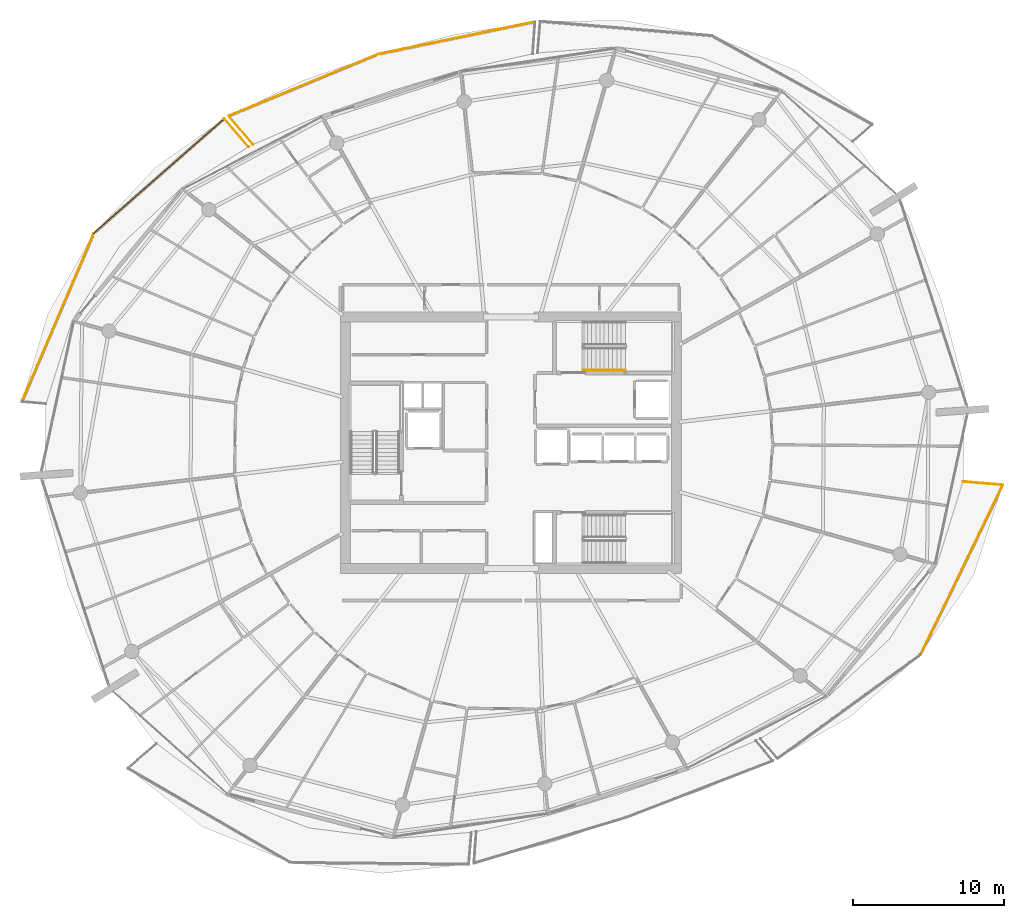
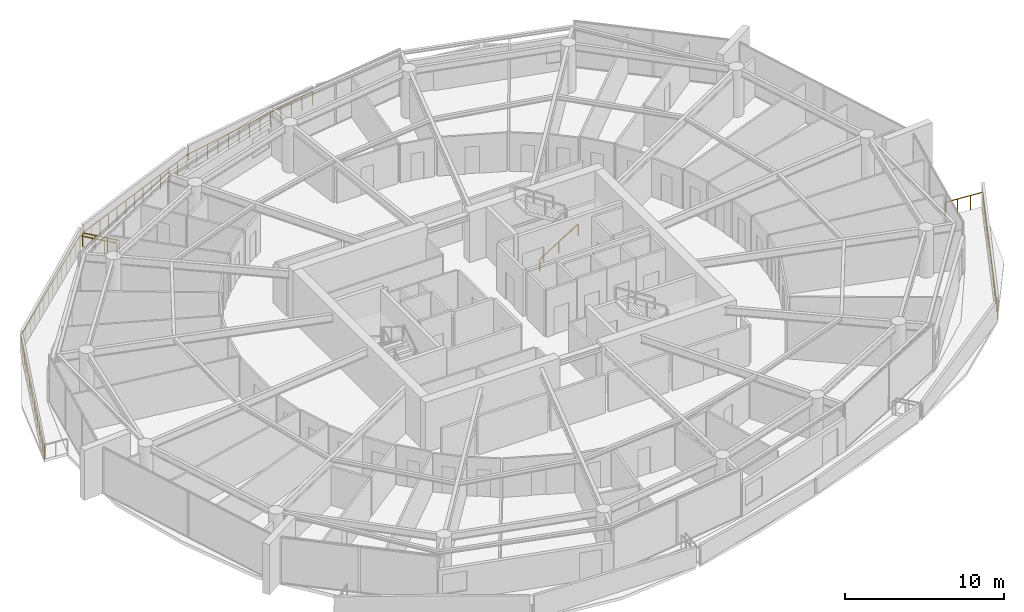
# One storey, part 28 of 30: 9 railings.
"""IFC4 building model written with IfcOpenShell, lengths in metres."""

from ifc_helpers import new_model, si_unit, direction, frame, origin, origin_2d, place, context, subcontext, project, spatial, rectangle, extrude, material, type_object, element, save


model = new_model("IFC4")

# Units and contexts
model_context = context("Model", 3, precision=1e-05, world=origin(), true_north=direction((0.0, 1.0)))
body_context = subcontext(model_context, "Body", "Model", "MODEL_VIEW")
ifc_project = project(units=[si_unit("LENGTHUNIT", "METRE"), si_unit("AREAUNIT", "SQUARE_METRE"), si_unit("VOLUMEUNIT", "CUBIC_METRE"), si_unit("PLANEANGLEUNIT", "RADIAN"), si_unit("MASSUNIT", "GRAM", prefix="KILO")], contexts=[model_context])

# Site, building, storey
site_placement = place(None, origin())
site = spatial("IfcSite", under=ifc_project, at=site_placement, CompositionType="ELEMENT")
building_placement = place(site_placement, origin())
building = spatial("IfcBuilding", under=site, at=building_placement, Name="Kazma Halo Residences", CompositionType="ELEMENT")
storey_placement = place(building_placement, frame((0.0, 0.0, 244.39990234375)))
storey = spatial("IfcBuildingStorey", under=building, at=storey_placement, Name="L61", CompositionType="ELEMENT", Elevation=244.39990234375)

# Railings
ifc_material_1 = material(Name="Aluminium AW-6063 T6 Brushed Cap Rail", Category="aluminium")
railing_type_1 = type_object("IfcRailingType", Name="RLG-BAL-CAP-1120", PredefinedType="BALUSTRADE", material=ifc_material_1)
railing_1_placement = place(storey_placement, frame((50.02099609375, 69.85546875, 0.0)))
element("IfcRailing", 1, at=railing_1_placement, inside=storey, type_object=railing_type_1, Name="L61 NNW wave balcony guard 2", PredefinedType="BALUSTRADE", context=body_context, shape_type="SweptSolid", body=[
    extrude(rectangle(XDim=0.050048828125, YDim=0.050048828125, at=origin_2d()), frame((-0.041748046875, -0.008544921875, 1.09521484375), z_axis=(-0.979468151895, -0.2015989569, 0.0), x_axis=(0.2015989569, -0.979468151895, 0.0)), (0.0, 0.0, 1.0), 10.51025390625),
    extrude(rectangle(XDim=0.0400390625, YDim=0.0400390625, at=origin_2d()), origin(), (0.0, 0.0, 1.0), 1.05810546875),
    extrude(rectangle(XDim=0.0400390625, YDim=0.0400390625, at=origin_2d()), frame((-0.86474609375, -0.177978515625, 0.0)), (0.0, 0.0, 1.0), 1.05810546875),
    extrude(rectangle(XDim=0.0400390625, YDim=0.0400390625, at=origin_2d()), frame((-1.7294921875, -0.35595703125, 0.0)), (0.0, 0.0, 1.0), 1.05810546875),
    extrude(rectangle(XDim=0.0400390625, YDim=0.0400390625, at=origin_2d()), frame((-2.594482421875, -0.533935546875, 0.0)), (0.0, 0.0, 1.0), 1.05810546875),
    extrude(rectangle(XDim=0.0400390625, YDim=0.0400390625, at=origin_2d()), frame((-3.459228515625, -0.7119140625, 0.0)), (0.0, 0.0, 1.0), 1.05810546875),
    extrude(rectangle(XDim=0.0400390625, YDim=0.0400390625, at=origin_2d()), frame((-4.323974609375, -0.889892578125, 0.0)), (0.0, 0.0, 1.0), 1.05810546875),
    extrude(rectangle(XDim=0.0400390625, YDim=0.0400390625, at=origin_2d()), frame((-5.18896484375, -1.06787109375, 0.0)), (0.0, 0.0, 1.0), 1.05810546875),
    extrude(rectangle(XDim=0.0400390625, YDim=0.0400390625, at=origin_2d()), frame((-6.0537109375, -1.24609375, 0.0)), (0.0, 0.0, 1.0), 1.05810546875),
    extrude(rectangle(XDim=0.0400390625, YDim=0.0400390625, at=origin_2d()), frame((-6.91845703125, -1.424072265625, 0.0)), (0.0, 0.0, 1.0), 1.05810546875),
    extrude(rectangle(XDim=0.0400390625, YDim=0.0400390625, at=origin_2d()), frame((-7.783203125, -1.60205078125, 0.0)), (0.0, 0.0, 1.0), 1.05810546875),
    extrude(rectangle(XDim=0.0400390625, YDim=0.0400390625, at=origin_2d()), frame((-8.64794921875, -1.780029296875, 0.0)), (0.0, 0.0, 1.0), 1.05810546875),
    extrude(rectangle(XDim=0.0400390625, YDim=0.0400390625, at=origin_2d()), frame((-9.512939453125, -1.9580078125, 0.0)), (0.0, 0.0, 1.0), 1.05810546875),
    extrude(rectangle(XDim=0.0400390625, YDim=0.0400390625, at=origin_2d()), frame((-10.377685546875, -2.135986328125, 0.0)), (0.0, 0.0, 1.0), 1.05810546875),
])
railing_2_placement = place(storey_placement, frame((39.643310546875, 67.719482421875, 0.0)))
element("IfcRailing", 2, at=railing_2_placement, inside=storey, type_object=railing_type_1, Name="L61 NNW wave balcony guard 3", PredefinedType="BALUSTRADE", context=body_context, shape_type="SweptSolid", body=[
    extrude(rectangle(XDim=0.050048828125, YDim=0.050048828125, at=origin_2d()), frame((-0.039306640625, -0.016357421875, 1.09521484375), z_axis=(-0.923952054483, -0.382508301892, 0.0), x_axis=(0.382508301892, -0.923952054483, 0.0)), (0.0, 0.0, 1.0), 10.615478515625),
    extrude(rectangle(XDim=0.0400390625, YDim=0.0400390625, at=origin_2d()), origin(), (0.0, 0.0, 1.0), 1.05810546875),
    extrude(rectangle(XDim=0.0400390625, YDim=0.0400390625, at=origin_2d()), frame((-0.823974609375, -0.341064453125, 0.0)), (0.0, 0.0, 1.0), 1.05810546875),
    extrude(rectangle(XDim=0.0400390625, YDim=0.0400390625, at=origin_2d()), frame((-1.647705078125, -0.68212890625, 0.0)), (0.0, 0.0, 1.0), 1.05810546875),
    extrude(rectangle(XDim=0.0400390625, YDim=0.0400390625, at=origin_2d()), frame((-2.4716796875, -1.023193359375, 0.0)), (0.0, 0.0, 1.0), 1.05810546875),
    extrude(rectangle(XDim=0.0400390625, YDim=0.0400390625, at=origin_2d()), frame((-3.295654296875, -1.3642578125, 0.0)), (0.0, 0.0, 1.0), 1.05810546875),
    extrude(rectangle(XDim=0.0400390625, YDim=0.0400390625, at=origin_2d()), frame((-4.119384765625, -1.705322265625, 0.0)), (0.0, 0.0, 1.0), 1.05810546875),
    extrude(rectangle(XDim=0.0400390625, YDim=0.0400390625, at=origin_2d()), frame((-4.943359375, -2.04638671875, 0.0)), (0.0, 0.0, 1.0), 1.05810546875),
    extrude(rectangle(XDim=0.0400390625, YDim=0.0400390625, at=origin_2d()), frame((-5.767333984375, -2.3876953125, 0.0)), (0.0, 0.0, 1.0), 1.05810546875),
    extrude(rectangle(XDim=0.0400390625, YDim=0.0400390625, at=origin_2d()), frame((-6.591064453125, -2.728759765625, 0.0)), (0.0, 0.0, 1.0), 1.05810546875),
    extrude(rectangle(XDim=0.0400390625, YDim=0.0400390625, at=origin_2d()), frame((-7.4150390625, -3.06982421875, 0.0)), (0.0, 0.0, 1.0), 1.05810546875),
    extrude(rectangle(XDim=0.0400390625, YDim=0.0400390625, at=origin_2d()), frame((-8.239013671875, -3.410888671875, 0.0)), (0.0, 0.0, 1.0), 1.05810546875),
    extrude(rectangle(XDim=0.0400390625, YDim=0.0400390625, at=origin_2d()), frame((-9.062744140625, -3.751953125, 0.0)), (0.0, 0.0, 1.0), 1.05810546875),
    extrude(rectangle(XDim=0.0400390625, YDim=0.0400390625, at=origin_2d()), frame((-9.88671875, -4.093017578125, 0.0)), (0.0, 0.0, 1.0), 1.05810546875),
])
railing_3_placement = place(storey_placement, frame((29.756591796875, 63.62646484375, 0.0)))
element("IfcRailing", 3, at=railing_3_placement, inside=storey, type_object=railing_type_1, Name="L61 NNW wave balcony guard 4", PredefinedType="BALUSTRADE", context=body_context, shape_type="SweptSolid", body=[
    extrude(rectangle(XDim=0.050048828125, YDim=0.050048828125, at=origin_2d()), frame((0.02734375, -0.032470703125, 1.09521484375), z_axis=(0.644811625636, -0.764341525396, 0.0), x_axis=(0.764341525396, 0.644811625636, 0.0)), (0.0, 0.0, 1.0), 2.39453125),
    extrude(rectangle(XDim=0.0400390625, YDim=0.0400390625, at=origin_2d()), origin(), (0.0, 0.0, 1.0), 1.05810546875),
    extrude(rectangle(XDim=0.0400390625, YDim=0.0400390625, at=origin_2d()), frame((0.532958984375, -0.6318359375, 0.0)), (0.0, 0.0, 1.0), 1.05810546875),
    extrude(rectangle(XDim=0.0400390625, YDim=0.0400390625, at=origin_2d()), frame((1.06591796875, -1.263427734375, 0.0)), (0.0, 0.0, 1.0), 1.05810546875),
    extrude(rectangle(XDim=0.0400390625, YDim=0.0400390625, at=origin_2d()), frame((1.598876953125, -1.895263671875, 0.0)), (0.0, 0.0, 1.0), 1.05810546875),
])
railing_4_placement = place(storey_placement, frame((31.06787109375, 61.58154296875, 0.0)))
element("IfcRailing", 4, at=railing_4_placement, inside=storey, type_object=railing_type_1, Name="L61 NW wave balcony guard 1", PredefinedType="BALUSTRADE", context=body_context, shape_type="SweptSolid", body=[
    extrude(rectangle(XDim=0.050048828125, YDim=0.050048828125, at=origin_2d()), frame((-0.02783203125, 0.0322265625, 1.09521484375), z_axis=(-0.654072490965, 0.756431871726, 0.0), x_axis=(-0.756431871726, -0.654072490965, 0.0)), (0.0, 0.0, 1.0), 2.385986328125),
    extrude(rectangle(XDim=0.0400390625, YDim=0.0400390625, at=origin_2d()), origin(), (0.0, 0.0, 1.0), 1.05810546875),
    extrude(rectangle(XDim=0.0400390625, YDim=0.0400390625, at=origin_2d()), frame((-0.538818359375, 0.623046875, 0.0)), (0.0, 0.0, 1.0), 1.05810546875),
    extrude(rectangle(XDim=0.0400390625, YDim=0.0400390625, at=origin_2d()), frame((-1.077392578125, 1.24609375, 0.0)), (0.0, 0.0, 1.0), 1.05810546875),
    extrude(rectangle(XDim=0.0400390625, YDim=0.0400390625, at=origin_2d()), frame((-1.6162109375, 1.869140625, 0.0)), (0.0, 0.0, 1.0), 1.05810546875),
])
railing_5_placement = place(storey_placement, frame((29.45166015625, 63.45068359375, 0.0)))
element("IfcRailing", 5, at=railing_5_placement, inside=storey, type_object=railing_type_1, Name="L61 NW wave balcony guard 2", PredefinedType="BALUSTRADE", context=body_context, shape_type="SweptSolid", body=[
    extrude(rectangle(XDim=0.050048828125, YDim=0.050048828125, at=origin_2d()), frame((-0.031982421875, -0.028076171875, 1.09521484375), z_axis=(-0.750910075064, -0.660404466344, 0.0), x_axis=(0.660404466344, -0.750910075064, 0.0)), (0.0, 0.0, 1.0), 11.419921875),
    extrude(rectangle(XDim=0.0400390625, YDim=0.0400390625, at=origin_2d()), origin(), (0.0, 0.0, 1.0), 1.05810546875),
    extrude(rectangle(XDim=0.0400390625, YDim=0.0400390625, at=origin_2d()), frame((-0.66455078125, -0.58447265625, 0.0)), (0.0, 0.0, 1.0), 1.05810546875),
    extrude(rectangle(XDim=0.0400390625, YDim=0.0400390625, at=origin_2d()), frame((-1.3291015625, -1.1689453125, 0.0)), (0.0, 0.0, 1.0), 1.05810546875),
    extrude(rectangle(XDim=0.0400390625, YDim=0.0400390625, at=origin_2d()), frame((-1.99365234375, -1.75341796875, 0.0)), (0.0, 0.0, 1.0), 1.05810546875),
    extrude(rectangle(XDim=0.0400390625, YDim=0.0400390625, at=origin_2d()), frame((-2.658203125, -2.337890625, 0.0)), (0.0, 0.0, 1.0), 1.05810546875),
    extrude(rectangle(XDim=0.0400390625, YDim=0.0400390625, at=origin_2d()), frame((-3.32275390625, -2.92236328125, 0.0)), (0.0, 0.0, 1.0), 1.05810546875),
    extrude(rectangle(XDim=0.0400390625, YDim=0.0400390625, at=origin_2d()), frame((-3.9873046875, -3.5068359375, 0.0)), (0.0, 0.0, 1.0), 1.05810546875),
    extrude(rectangle(XDim=0.0400390625, YDim=0.0400390625, at=origin_2d()), frame((-4.65185546875, -4.091064453125, 0.0)), (0.0, 0.0, 1.0), 1.05810546875),
    extrude(rectangle(XDim=0.0400390625, YDim=0.0400390625, at=origin_2d()), frame((-5.31640625, -4.675537109375, 0.0)), (0.0, 0.0, 1.0), 1.05810546875),
    extrude(rectangle(XDim=0.0400390625, YDim=0.0400390625, at=origin_2d()), frame((-5.98095703125, -5.260009765625, 0.0)), (0.0, 0.0, 1.0), 1.05810546875),
    extrude(rectangle(XDim=0.0400390625, YDim=0.0400390625, at=origin_2d()), frame((-6.6455078125, -5.844482421875, 0.0)), (0.0, 0.0, 1.0), 1.05810546875),
    extrude(rectangle(XDim=0.0400390625, YDim=0.0400390625, at=origin_2d()), frame((-7.31005859375, -6.428955078125, 0.0)), (0.0, 0.0, 1.0), 1.05810546875),
    extrude(rectangle(XDim=0.0400390625, YDim=0.0400390625, at=origin_2d()), frame((-7.974609375, -7.013427734375, 0.0)), (0.0, 0.0, 1.0), 1.05810546875),
    extrude(rectangle(XDim=0.0400390625, YDim=0.0400390625, at=origin_2d()), frame((-8.63916015625, -7.597900390625, 0.0)), (0.0, 0.0, 1.0), 1.05810546875),
])
railing_6_placement = place(storey_placement, frame((20.8125, 55.852783203125, 0.0)))
element("IfcRailing", 6, at=railing_6_placement, inside=storey, type_object=railing_type_1, Name="L61 NW wave balcony guard 3", PredefinedType="BALUSTRADE", context=body_context, shape_type="SweptSolid", body=[
    extrude(rectangle(XDim=0.050048828125, YDim=0.050048828125, at=origin_2d()), frame((-0.0166015625, -0.0390625, 1.09521484375), z_axis=(-0.392707796249, -0.91966330076, 0.0), x_axis=(0.91966330076, -0.392707796249, 0.0)), (0.0, 0.0, 1.0), 12.0302734375),
    extrude(rectangle(XDim=0.0400390625, YDim=0.0400390625, at=origin_2d()), origin(), (0.0, 0.0, 1.0), 1.05810546875),
    extrude(rectangle(XDim=0.0400390625, YDim=0.0400390625, at=origin_2d()), frame((-0.33984375, -0.7958984375, 0.0)), (0.0, 0.0, 1.0), 1.05810546875),
    extrude(rectangle(XDim=0.0400390625, YDim=0.0400390625, at=origin_2d()), frame((-0.6796875, -1.591796875, 0.0)), (0.0, 0.0, 1.0), 1.05810546875),
    extrude(rectangle(XDim=0.0400390625, YDim=0.0400390625, at=origin_2d()), frame((-1.01953125, -2.3876953125, 0.0)), (0.0, 0.0, 1.0), 1.05810546875),
    extrude(rectangle(XDim=0.0400390625, YDim=0.0400390625, at=origin_2d()), frame((-1.359375, -3.183349609375, 0.0)), (0.0, 0.0, 1.0), 1.05810546875),
    extrude(rectangle(XDim=0.0400390625, YDim=0.0400390625, at=origin_2d()), frame((-1.69921875, -3.979248046875, 0.0)), (0.0, 0.0, 1.0), 1.05810546875),
    extrude(rectangle(XDim=0.0400390625, YDim=0.0400390625, at=origin_2d()), frame((-2.0390625, -4.775146484375, 0.0)), (0.0, 0.0, 1.0), 1.05810546875),
    extrude(rectangle(XDim=0.0400390625, YDim=0.0400390625, at=origin_2d()), frame((-2.37890625, -5.571044921875, 0.0)), (0.0, 0.0, 1.0), 1.05810546875),
    extrude(rectangle(XDim=0.0400390625, YDim=0.0400390625, at=origin_2d()), frame((-2.71875, -6.366943359375, 0.0)), (0.0, 0.0, 1.0), 1.05810546875),
    extrude(rectangle(XDim=0.0400390625, YDim=0.0400390625, at=origin_2d()), frame((-3.05859375, -7.162841796875, 0.0)), (0.0, 0.0, 1.0), 1.05810546875),
    extrude(rectangle(XDim=0.0400390625, YDim=0.0400390625, at=origin_2d()), frame((-3.3984375, -7.958740234375, 0.0)), (0.0, 0.0, 1.0), 1.05810546875),
    extrude(rectangle(XDim=0.0400390625, YDim=0.0400390625, at=origin_2d()), frame((-3.73828125, -8.75439453125, 0.0)), (0.0, 0.0, 1.0), 1.05810546875),
    extrude(rectangle(XDim=0.0400390625, YDim=0.0400390625, at=origin_2d()), frame((-4.078125, -9.55029296875, 0.0)), (0.0, 0.0, 1.0), 1.05810546875),
    extrude(rectangle(XDim=0.0400390625, YDim=0.0400390625, at=origin_2d()), frame((-4.41796875, -10.34619140625, 0.0)), (0.0, 0.0, 1.0), 1.05810546875),
    extrude(rectangle(XDim=0.0400390625, YDim=0.0400390625, at=origin_2d()), frame((-4.7578125, -11.14208984375, 0.0)), (0.0, 0.0, 1.0), 1.05810546875),
])
railing_7_placement = place(storey_placement, frame((75.5419921875, 27.966552734375, 0.0)))
element("IfcRailing", 7, at=railing_7_placement, inside=storey, type_object=railing_type_1, Name="L61 SE wave balcony guard 3", PredefinedType="BALUSTRADE", context=body_context, shape_type="SweptSolid", body=[
    extrude(rectangle(XDim=0.050048828125, YDim=0.050048828125, at=origin_2d()), frame((0.0185546875, 0.038330078125, 1.09521484375), z_axis=(0.435770522206, 0.900057804797, 0.0), x_axis=(-0.900057804797, 0.435770522206, 0.0)), (0.0, 0.0, 1.0), 12.397216796875),
    extrude(rectangle(XDim=0.0400390625, YDim=0.0400390625, at=origin_2d()), origin(), (0.0, 0.0, 1.0), 1.05810546875),
    extrude(rectangle(XDim=0.0400390625, YDim=0.0400390625, at=origin_2d()), frame((0.388427734375, 0.802490234375, 0.0)), (0.0, 0.0, 1.0), 1.05810546875),
    extrude(rectangle(XDim=0.0400390625, YDim=0.0400390625, at=origin_2d()), frame((0.777099609375, 1.60498046875, 0.0)), (0.0, 0.0, 1.0), 1.05810546875),
    extrude(rectangle(XDim=0.0400390625, YDim=0.0400390625, at=origin_2d()), frame((1.16552734375, 2.407470703125, 0.0)), (0.0, 0.0, 1.0), 1.05810546875),
    extrude(rectangle(XDim=0.0400390625, YDim=0.0400390625, at=origin_2d()), frame((1.55419921875, 3.2099609375, 0.0)), (0.0, 0.0, 1.0), 1.05810546875),
    extrude(rectangle(XDim=0.0400390625, YDim=0.0400390625, at=origin_2d()), frame((1.942626953125, 4.012451171875, 0.0)), (0.0, 0.0, 1.0), 1.05810546875),
    extrude(rectangle(XDim=0.0400390625, YDim=0.0400390625, at=origin_2d()), frame((2.331298828125, 4.81494140625, 0.0)), (0.0, 0.0, 1.0), 1.05810546875),
    extrude(rectangle(XDim=0.0400390625, YDim=0.0400390625, at=origin_2d()), frame((2.7197265625, 5.617431640625, 0.0)), (0.0, 0.0, 1.0), 1.05810546875),
    extrude(rectangle(XDim=0.0400390625, YDim=0.0400390625, at=origin_2d()), frame((3.108154296875, 6.419921875, 0.0)), (0.0, 0.0, 1.0), 1.05810546875),
    extrude(rectangle(XDim=0.0400390625, YDim=0.0400390625, at=origin_2d()), frame((3.496826171875, 7.222412109375, 0.0)), (0.0, 0.0, 1.0), 1.05810546875),
    extrude(rectangle(XDim=0.0400390625, YDim=0.0400390625, at=origin_2d()), frame((3.88525390625, 8.02490234375, 0.0)), (0.0, 0.0, 1.0), 1.05810546875),
    extrude(rectangle(XDim=0.0400390625, YDim=0.0400390625, at=origin_2d()), frame((4.27392578125, 8.827392578125, 0.0)), (0.0, 0.0, 1.0), 1.05810546875),
    extrude(rectangle(XDim=0.0400390625, YDim=0.0400390625, at=origin_2d()), frame((4.662353515625, 9.6298828125, 0.0)), (0.0, 0.0, 1.0), 1.05810546875),
    extrude(rectangle(XDim=0.0400390625, YDim=0.0400390625, at=origin_2d()), frame((5.051025390625, 10.432373046875, 0.0)), (0.0, 0.0, 1.0), 1.05810546875),
    extrude(rectangle(XDim=0.0400390625, YDim=0.0400390625, at=origin_2d()), frame((5.439453125, 11.23486328125, 0.0)), (0.0, 0.0, 1.0), 1.05810546875),
])
railing_8_placement = place(storey_placement, frame((80.9814453125, 39.201416015625, 0.0)))
element("IfcRailing", 8, at=railing_8_placement, inside=storey, type_object=railing_type_1, Name="L61 SE wave balcony guard 4", PredefinedType="BALUSTRADE", context=body_context, shape_type="SweptSolid", body=[
    extrude(rectangle(XDim=0.050048828125, YDim=0.050048828125, at=origin_2d()), frame((-0.04248046875, 0.003662109375, 1.09521484375), z_axis=(-0.996415768752, 0.084590872927, 0.0), x_axis=(-0.084590872927, -0.996415768752, 0.0)), (0.0, 0.0, 1.0), 2.5556640625),
    extrude(rectangle(XDim=0.0400390625, YDim=0.0400390625, at=origin_2d()), origin(), (0.0, 0.0, 1.0), 1.05810546875),
    extrude(rectangle(XDim=0.0400390625, YDim=0.0400390625, at=origin_2d()), frame((-0.877197265625, 0.074462890625, 0.0)), (0.0, 0.0, 1.0), 1.05810546875),
    extrude(rectangle(XDim=0.0400390625, YDim=0.0400390625, at=origin_2d()), frame((-1.754150390625, 0.14892578125, 0.0)), (0.0, 0.0, 1.0), 1.05810546875),
    extrude(rectangle(XDim=0.0400390625, YDim=0.0400390625, at=origin_2d()), frame((-2.63134765625, 0.223388671875, 0.0)), (0.0, 0.0, 1.0), 1.05810546875),
])
ifc_material_2 = material(Name="Brushed Stainless Steel", Category="steel")
railing_type_2 = type_object("IfcRailingType", Name="RLG-STAIR-HND-900", PredefinedType="HANDRAIL", material=ifc_material_2)
railing_9_placement = place(storey_placement, frame((53.199951171875, 46.800048828125, 0.175048828125)))
element("IfcRailing", 9, at=railing_9_placement, inside=storey, type_object=railing_type_2, Name="L61 ST-02 stair handrail 1", PredefinedType="HANDRAIL", context=body_context, shape_type="SweptSolid", body=[
    extrude(rectangle(XDim=0.050048828125, YDim=0.050048828125, at=origin_2d()), frame((0.0361328125, 0.0, 0.8974609375), z_axis=(0.848002457836, 0.0, 0.529992293815), x_axis=(0.0, 1.0, 0.0)), (0.0, 0.0, 1.0), 3.216796875),
    extrude(rectangle(XDim=0.0400390625, YDim=0.0400390625, at=origin_2d()), origin(), (0.0, 0.0, 1.0), 0.837890625),
    extrude(rectangle(XDim=0.0400390625, YDim=0.0400390625, at=origin_2d()), frame((1.39990234375, 0.0, 0.875)), (0.0, 0.0, 1.0), 0.837890625),
    extrude(rectangle(XDim=0.0400390625, YDim=0.0400390625, at=origin_2d()), frame((2.800048828125, 0.0, 1.75)), (0.0, 0.0, 1.0), 0.837890625),
])

save(model, "model.ifc")
